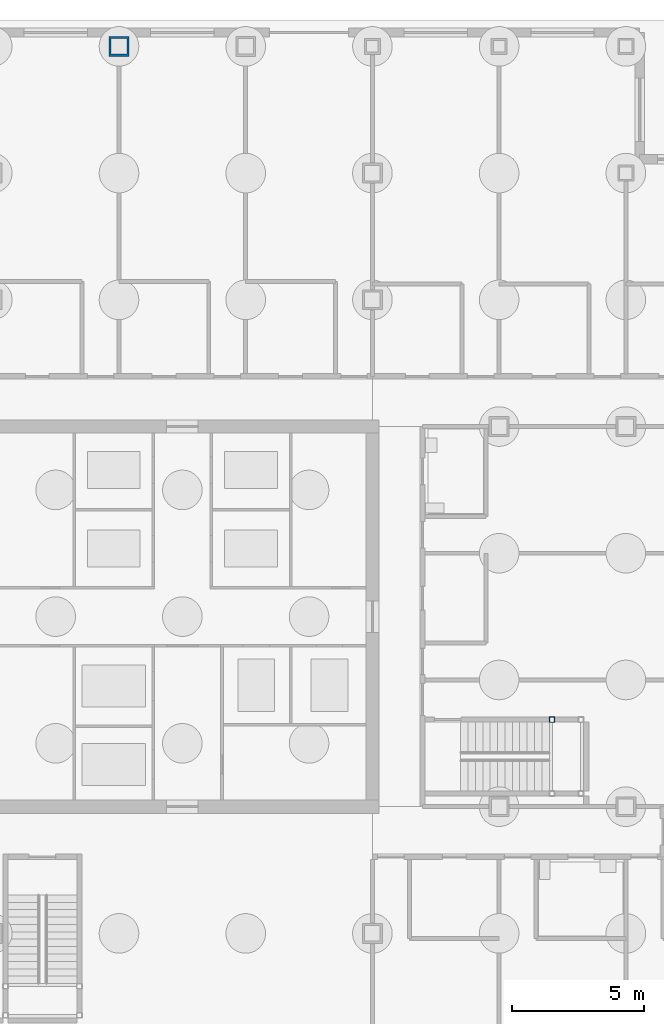
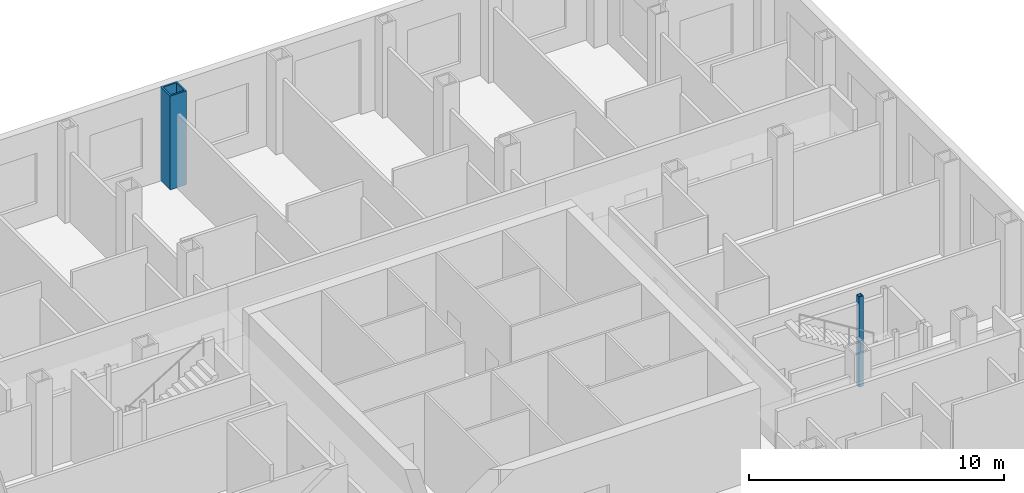
# One storey, part 9 of 22: 2 columns.
"""IFC4 building model written with IfcOpenShell, lengths in metres."""

import ifcopenshell
import ifcopenshell.guid

model = None  # the IFC model being written
_history = None  # IfcOwnerHistory: only IFC2X3 demands one
_inside = {}  # id of a spatial element -> (the spatial element, [elements in it])
_under = {}  # id of a project, library or spatial element -> (it, [spatial elements below it])
_declared = {}  # id of a project -> (the project, [libraries it declares])
_typed = {}  # id of a type object -> (the type object, [elements of that type])
_made_of = {}  # id of a material, layer set ... -> (it, [elements and type objects made of it])


def new_model(schema):
    """Start an empty IFC model of exactly this schema.

    Asked for "IFC4X3", IfcOpenShell would pick the latest addendum, in which some entities
    have other attributes; the version numbers below select the first issue.
    IFC2X3 requires an IfcOwnerHistory on every rooted entity: one is made here for all.
    """
    global model, _history
    if schema == "IFC4X3":
        model = ifcopenshell.file(schema_version=(4, 3, 0, 0))
    else:
        model = ifcopenshell.file(schema=schema)
    _inside.clear()
    _under.clear()
    _declared.clear()
    _typed.clear()
    _made_of.clear()
    _history = None
    if model.schema == "IFC2X3":
        org = make("IfcOrganization", Name="unknown")
        user = make(
            "IfcPersonAndOrganization",
            ThePerson=make("IfcPerson", FamilyName="unknown"),
            TheOrganization=org,
        )
        app = make(
            "IfcApplication",
            ApplicationDeveloper=org,
            Version="unknown",
            ApplicationFullName="unknown",
            ApplicationIdentifier="unknown",
        )
        _history = make(
            "IfcOwnerHistory",
            OwningUser=user,
            OwningApplication=app,
            ChangeAction="ADDED",
            CreationDate=0,
        )
    return model


def make(cls, **values):
    """One entity of the class cls with the attributes given. An attribute that is None is left unset."""
    return model.create_entity(
        cls, **{name: value for name, value in values.items() if value is not None}
    )


def rooted(cls, **values):
    """An entity with a GlobalId (a new one), such as an element, a storey or a relation."""
    return make(cls, GlobalId=ifcopenshell.guid.new(), OwnerHistory=_history, **values)


def si_unit(unit_type, name, prefix=None):
    """IfcSIUnit, for example si_unit("LENGTHUNIT", "METRE", prefix="MILLI")."""
    return make("IfcSIUnit", UnitType=unit_type, Prefix=prefix, Name=name)


def assignment(units):
    """IfcUnitAssignment: the units of a project."""
    return None if units is None else make("IfcUnitAssignment", Units=units)


def point(xyz):
    """IfcCartesianPoint."""
    return None if xyz is None else make("IfcCartesianPoint", Coordinates=xyz)


def direction(xyz):
    """IfcDirection."""
    return None if xyz is None else make("IfcDirection", DirectionRatios=xyz)


def frame(location, z_axis=None, x_axis=None):
    """IfcAxis2Placement3D, a coordinate frame: its origin and axes. An axis left out is left unset."""
    return make(
        "IfcAxis2Placement3D",
        Location=point(location),
        Axis=direction(z_axis),
        RefDirection=direction(x_axis),
    )


def frame_2d(location, x_axis=None):
    """IfcAxis2Placement2D, a coordinate frame in the plane: its origin and x axis."""
    return make(
        "IfcAxis2Placement2D", Location=point(location), RefDirection=direction(x_axis)
    )


def origin():
    """The frame at (0, 0, 0) with its axes left unset."""
    return frame((0.0, 0.0, 0.0))


def origin_2d():
    """The frame at (0, 0) in the plane with its x axis left unset."""
    return frame_2d((0.0, 0.0))


def place(relative_to, where):
    """IfcLocalPlacement: puts the frame where relative to a parent placement (None: the world)."""
    return make(
        "IfcLocalPlacement", PlacementRelTo=relative_to, RelativePlacement=where
    )


def context(
    kind, dimensions, precision=None, world=None, true_north=None, identifier=None
):
    """IfcGeometricRepresentationContext, for example the 3D "Model" context."""
    return make(
        "IfcGeometricRepresentationContext",
        ContextIdentifier=identifier,
        ContextType=kind,
        CoordinateSpaceDimension=dimensions,
        Precision=precision,
        WorldCoordinateSystem=world,
        TrueNorth=true_north,
    )


def subcontext(parent, identifier, kind, view, scale=None):
    """IfcGeometricRepresentationSubContext, for example "Body" below "Model"."""
    return make(
        "IfcGeometricRepresentationSubContext",
        ContextIdentifier=identifier,
        ContextType=kind,
        ParentContext=parent,
        TargetScale=scale,
        TargetView=view,
    )


def project(units=None, contexts=None):
    """IfcProject with its units and contexts."""
    return rooted(
        "IfcProject",
        Name="project",
        RepresentationContexts=contexts,
        UnitsInContext=assignment(units),
    )


def spatial(cls, under=None, at=None, **own):
    """A site, building, storey or space (cls), placed at a placement, below another one or the project."""
    s = rooted(cls, ObjectPlacement=at, **own)
    if under is not None:
        _under.setdefault(under.id(), (under, []))[1].append(s)
    return s


def profile(cls, at=None, kind="AREA", **sizes):
    """A parametric profile (cls). Its sizes go by their IFC names, for example OverallWidth=200.0."""
    return make(cls, ProfileType=kind, Position=at, **sizes)


def hollow_rectangle(**sizes):
    """IfcRectangleHollowProfileDef."""
    return profile("IfcRectangleHollowProfileDef", **sizes)


def extrude(swept, where, along, depth):
    """IfcExtrudedAreaSolid: the profile swept, set in the frame where, extruded along a direction by depth."""
    return make(
        "IfcExtrudedAreaSolid",
        SweptArea=swept,
        Position=where,
        ExtrudedDirection=direction(along),
        Depth=depth,
    )


def shape(context_of_items, identifier, shape_type, items):
    """IfcShapeRepresentation: the items that make up one representation, for example the "Body"."""
    return make(
        "IfcShapeRepresentation",
        ContextOfItems=context_of_items,
        RepresentationIdentifier=identifier,
        RepresentationType=shape_type,
        Items=items,
    )


def material(Name=None, Category=None):
    """IfcMaterial."""
    return make("IfcMaterial", Name=Name, Category=Category)


def material_profile(
    of_material, cross_section, Name=None, Category=None, Priority=None
):
    """IfcMaterialProfile: a cross section and its material."""
    return make(
        "IfcMaterialProfile",
        Name=Name,
        Material=of_material,
        Profile=cross_section,
        Priority=Priority,
        Category=Category,
    )


def profile_set(profiles, Name=None, composite=None):
    """IfcMaterialProfileSet."""
    return make(
        "IfcMaterialProfileSet",
        Name=Name,
        MaterialProfiles=profiles,
        CompositeProfile=composite,
    )


def made_of(thing, what):
    """Note that an element or type object is made of a material, layer set ...; save() writes the relation."""
    if what is not None:
        _made_of.setdefault(what.id(), (what, []))[1].append(thing)
    return thing


def type_object(cls, material=None, **own):
    """A type object (cls), such as IfcWallType, which elements share."""
    return made_of(rooted(cls, **own), material)


def element(
    cls,
    number,
    at=None,
    inside=None,
    cuts=None,
    type_object=None,
    material=None,
    context=None,
    identifier="Body",
    shape_type=None,
    held_by="IfcProductDefinitionShape",
    body=None,
    shapes=None,
    **own,
):
    """One element of the class cls, such as IfcWall. Its Tag is "e" and its number.

    at: its placement. inside: the storey or other place that contains it. cuts: it is an
    opening in that element (IfcRelVoidsElement). A single representation is given by context,
    identifier, shape_type and body (its items); several are given by shapes. held_by: the class
    of the entity that holds the representations. save() writes the other relations.
    """
    e = rooted(cls, Tag="e%d" % number, ObjectPlacement=at, **own)
    if body is not None:
        shapes = [shape(context, identifier, shape_type, body)]
    if shapes is not None:
        e.Representation = make(held_by, Representations=shapes)
    if inside is not None:
        _inside.setdefault(inside.id(), (inside, []))[1].append(e)
    if cuts is not None:
        rooted(
            "IfcRelVoidsElement", RelatingBuildingElement=cuts, RelatedOpeningElement=e
        )
    if type_object is not None:
        _typed.setdefault(type_object.id(), (type_object, []))[1].append(e)
    return made_of(e, material)


def aggregate(whole, parts):
    """IfcRelAggregates: a whole, such as a stair, and the parts it consists of."""
    return rooted("IfcRelAggregates", RelatingObject=whole, RelatedObjects=parts)


def save(model, path):
    """Write the relations noted so far, then the file.

    IfcRelAggregates (storeys below a building ...), IfcRelContainedInSpatialStructure (elements
    in a storey), IfcRelDefinesByType, IfcRelAssociatesMaterial and IfcRelDeclares: one each for
    every whole, place, type object, material and project.
    """
    for whole, parts in _under.values():
        aggregate(whole, parts)
    for where, things in _inside.values():
        rooted(
            "IfcRelContainedInSpatialStructure",
            RelatedElements=things,
            RelatingStructure=where,
        )
    for kind, things in _typed.values():
        rooted("IfcRelDefinesByType", RelatedObjects=things, RelatingType=kind)
    for what, things in _made_of.values():
        rooted("IfcRelAssociatesMaterial", RelatedObjects=things, RelatingMaterial=what)
    for by, libraries in _declared.values():
        rooted("IfcRelDeclares", RelatingContext=by, RelatedDefinitions=libraries)
    model.write(path)


model = new_model("IFC4")

# Units and contexts
model_context = context("Model", 3, precision=1e-05, world=origin(), true_north=direction((0.0, 1.0)))
body_context = subcontext(model_context, "Body", "Model", "MODEL_VIEW")
ifc_project = project(units=[si_unit("LENGTHUNIT", "METRE"), si_unit("AREAUNIT", "SQUARE_METRE"), si_unit("VOLUMEUNIT", "CUBIC_METRE"), si_unit("PLANEANGLEUNIT", "RADIAN"), si_unit("MASSUNIT", "GRAM", prefix="KILO")], contexts=[model_context])

# Site, building, storey
site_placement = place(None, origin())
site = spatial("IfcSite", under=ifc_project, at=site_placement, CompositionType="ELEMENT")
building_placement = place(site_placement, origin())
building = spatial("IfcBuilding", under=site, at=building_placement, Name="Kvirike Care Tower", CompositionType="ELEMENT")
storey_placement = place(building_placement, origin())
storey = spatial("IfcBuildingStorey", under=building, at=storey_placement, Name="L00", CompositionType="ELEMENT", Elevation=0.0)

# Columns
ifc_material_1 = material(Name="Steel S460", Category="steel")
ifc_material_profile_1 = material_profile(ifc_material_1, hollow_rectangle(XDim=0.75, YDim=0.75, WallThickness=0.080078125, at=origin_2d()), Name="BX 750x750x80")
ifc_profile_set_1 = profile_set([ifc_material_profile_1], Name="Steel S460")
column_type_1 = type_object("IfcColumnType", Name="COLUMN BX 750x750x80", PredefinedType="COLUMN", material=ifc_profile_set_1)
column_1_placement = place(storey_placement, frame((19.199951171875, 57.60009765625, 0.0), z_axis=(0.0, 0.0, 1.0), x_axis=(0.0, 1.0, 0.0)))
element("IfcColumn", 1, at=column_1_placement, inside=storey, type_object=column_type_1, Name="Column N7 L00", PredefinedType="COLUMN", context=body_context, shape_type="SweptSolid", body=[
    extrude(hollow_rectangle(XDim=0.75, YDim=0.75, WallThickness=0.080078125, at=origin_2d()), origin(), (0.0, 0.0, 1.0), 4.5),
])
ifc_material_2 = material(Name="Steel S460", Category="steel")
ifc_material_profile_2 = material_profile(ifc_material_2, hollow_rectangle(XDim=0.199951171875, YDim=0.199951171875, WallThickness=0.008056640625, at=origin_2d()), Name="SHS 200x200x8")
ifc_profile_set_2 = profile_set([ifc_material_profile_2], Name="Steel S460")
column_type_2 = type_object("IfcColumnType", Name="STAIR POST SHS 200x200x8", PredefinedType="COLUMN", material=ifc_profile_set_2)
column_2_placement = place(storey_placement, frame((35.60009765625, 32.10009765625, 0.0), z_axis=(0.0, 0.0, 1.0), x_axis=(1.0, 0.0, 0.0)))
element("IfcColumn", 2, at=column_2_placement, inside=storey, type_object=column_type_2, Name="Stair 2 post 4 L00", PredefinedType="COLUMN", context=body_context, shape_type="SweptSolid", body=[
    extrude(hollow_rectangle(XDim=0.199951171875, YDim=0.199951171875, WallThickness=0.008056640625, at=origin_2d()), origin(), (0.0, 0.0, 1.0), 4.330078125),
])

save(model, "model.ifc")
